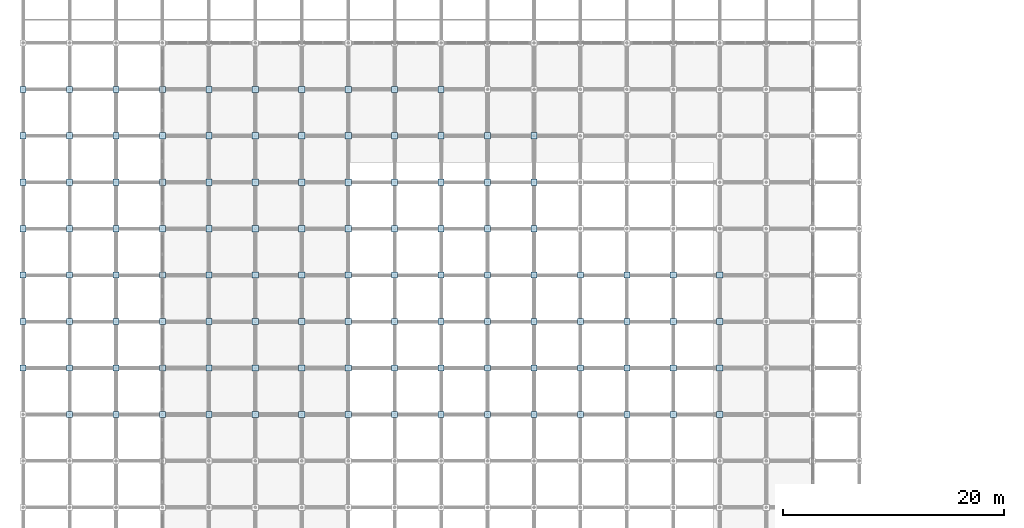
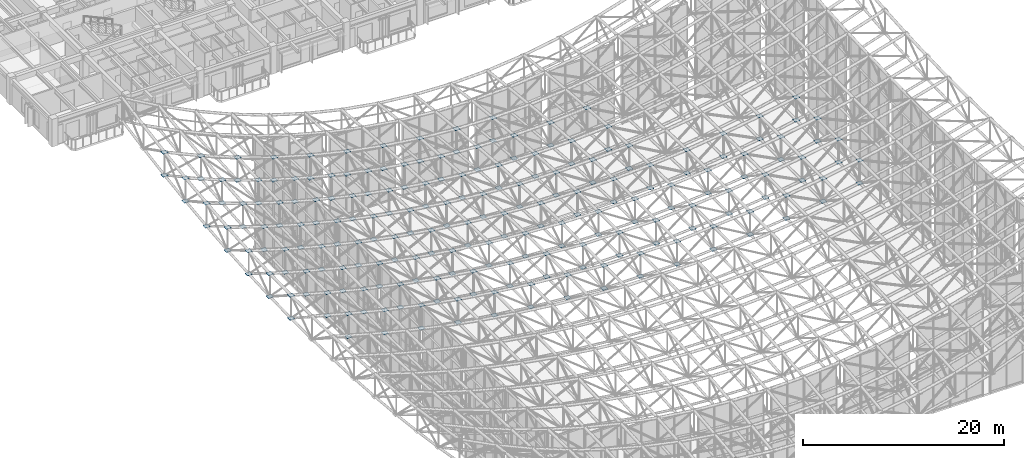
# One storey, part 68 of 93: 217 plates.
"""IFC4 building model written with IfcOpenShell, lengths in metres."""

from ifc_helpers import new_model, si_unit, direction, frame, origin, origin_2d, place, context, subcontext, project, spatial, rectangle, extrude, material, layer, layer_set, type_object, element, save


model = new_model("IFC4")

# Units and contexts
model_context = context("Model", 3, precision=1e-05, world=origin(), true_north=direction((0.0, 1.0)))
body_context = subcontext(model_context, "Body", "Model", "MODEL_VIEW")
ifc_project = project(units=[si_unit("LENGTHUNIT", "METRE"), si_unit("AREAUNIT", "SQUARE_METRE"), si_unit("VOLUMEUNIT", "CUBIC_METRE"), si_unit("PLANEANGLEUNIT", "RADIAN"), si_unit("MASSUNIT", "GRAM", prefix="KILO")], contexts=[model_context])

# Site, building, storey
site_placement = place(None, origin())
site = spatial("IfcSite", under=ifc_project, at=site_placement, CompositionType="ELEMENT")
building_placement = place(site_placement, origin())
building = spatial("IfcBuilding", under=site, at=building_placement, Name="Cumbredor Promenade Congress Hotel", CompositionType="ELEMENT")
storey_placement = place(building_placement, frame((0.0, 0.0, 21.840087890625)))
storey = spatial("IfcBuildingStorey", under=building, at=storey_placement, Name="L06", CompositionType="ELEMENT", Elevation=21.840087890625)

# Plates
ifc_material = material(Name="Steel ASTM A572 Grade 50", Category="steel")
ifc_layer = layer(ifc_material, 0.035888671875, Name="Steel ASTM A572 Grade 50", Category="steel")
ifc_layer_set = layer_set([ifc_layer], Name="Steel ASTM A572 Grade 50")
plate_type = type_object("IfcPlateType", Name="Space Frame Node Assembly ND-01", PredefinedType="USERDEFINED", material=ifc_layer_set)
for number, where, z_axis, x_axis, name in (
    (1, (-4.199951171875, 37.800048828125, 16.2255859375), (0.0, 0.0, 1.0), (1.0, 0.0, 0.0), "Plenary Congress Hall Space Frame Top Node 1.10"),
    (2, (-4.199951171875, 37.800048828125, 13.42529296875), (0.0, 0.0, 1.0), (1.0, 0.0, 0.0), "Plenary Congress Hall Space Frame Bottom Node 1.10"),
    (3, (-4.199951171875, 42.0, 16.3271484375), (0.0, 0.0, 1.0), (1.0, 0.0, 0.0), "Plenary Congress Hall Space Frame Top Node 1.11"),
    (4, (-4.199951171875, 42.0, 13.52685546875), (0.0, 0.0, 1.0), (1.0, 0.0, 0.0), "Plenary Congress Hall Space Frame Bottom Node 1.11"),
    (5, (-4.199951171875, 46.199951171875, 16.5302734375), (0.0, 0.0, 1.0), (1.0, 0.0, 0.0), "Plenary Congress Hall Space Frame Top Node 1.12"),
    (6, (-4.199951171875, 46.199951171875, 13.73046875), (0.0, 0.0, 1.0), (1.0, 0.0, 0.0), "Plenary Congress Hall Space Frame Bottom Node 1.12"),
    (7, (-4.199951171875, 50.39990234375, 16.8349609375), (0.0, 0.0, 1.0), (1.0, 0.0, 0.0), "Plenary Congress Hall Space Frame Top Node 1.13"),
    (8, (-4.199951171875, 50.39990234375, 14.03515625), (0.0, 0.0, 1.0), (1.0, 0.0, 0.0), "Plenary Congress Hall Space Frame Bottom Node 1.13"),
    (9, (-4.199951171875, 54.60009765625, 17.24169921875), (0.0, 0.0, 1.0), (1.0, 0.0, 0.0), "Plenary Congress Hall Space Frame Top Node 1.14"),
    (10, (-4.199951171875, 54.60009765625, 14.44140625), (0.0, 0.0, 1.0), (1.0, 0.0, 0.0), "Plenary Congress Hall Space Frame Bottom Node 1.14"),
    (11, (-4.199951171875, 58.800048828125, 17.7490234375), (0.0, 0.0, 1.0), (1.0, 0.0, 0.0), "Plenary Congress Hall Space Frame Top Node 1.15"),
    (12, (-4.199951171875, 58.800048828125, 14.94921875), (0.0, 0.0, 1.0), (1.0, 0.0, 0.0), "Plenary Congress Hall Space Frame Bottom Node 1.15"),
    (13, (-4.199951171875, 63.0, 18.35791015625), (0.0, 0.0, 1.0), (1.0, 0.0, 0.0), "Plenary Congress Hall Space Frame Top Node 1.16"),
    (14, (-4.199951171875, 63.0, 15.55810546875), (0.0, 0.0, 1.0), (1.0, 0.0, 0.0), "Plenary Congress Hall Space Frame Bottom Node 1.16"),
    (15, (0.0, 33.60009765625, 15.06640625), (0.0, 0.0, 1.0), (1.0, 0.0, 0.0), "Plenary Congress Hall Space Frame Top Node 2.9"),
    (16, (0.0, 33.60009765625, 12.26611328125), (0.0, 0.0, 1.0), (1.0, 0.0, 0.0), "Plenary Congress Hall Space Frame Bottom Node 2.9"),
    (17, (0.0, 37.800048828125, 15.06640625), (0.0, 0.0, 1.0), (1.0, 0.0, 0.0), "Plenary Congress Hall Space Frame Top Node 2.10"),
    (18, (0.0, 37.800048828125, 12.26611328125), (0.0, 0.0, 1.0), (1.0, 0.0, 0.0), "Plenary Congress Hall Space Frame Bottom Node 2.10"),
    (19, (0.0, 42.0, 15.1318359375), (0.0, 0.0, 1.0), (1.0, 0.0, 0.0), "Plenary Congress Hall Space Frame Top Node 2.11"),
    (20, (0.0, 42.0, 12.33154296875), (0.0, 0.0, 1.0), (1.0, 0.0, 0.0), "Plenary Congress Hall Space Frame Bottom Node 2.11"),
    (21, (0.0, 46.199951171875, 15.263671875), (0.0, 0.0, 1.0), (1.0, 0.0, 0.0), "Plenary Congress Hall Space Frame Top Node 2.12"),
    (22, (0.0, 46.199951171875, 12.4638671875), (0.0, 0.0, 1.0), (1.0, 0.0, 0.0), "Plenary Congress Hall Space Frame Bottom Node 2.12"),
    (23, (0.0, 50.39990234375, 15.46142578125), (0.0, 0.0, 1.0), (1.0, 0.0, 0.0), "Plenary Congress Hall Space Frame Top Node 2.13"),
    (24, (0.0, 50.39990234375, 12.66162109375), (0.0, 0.0, 1.0), (1.0, 0.0, 0.0), "Plenary Congress Hall Space Frame Bottom Node 2.13"),
    (25, (0.0, 54.60009765625, 15.7255859375), (0.0, 0.0, 1.0), (1.0, 0.0, 0.0), "Plenary Congress Hall Space Frame Top Node 2.14"),
    (26, (0.0, 54.60009765625, 12.92578125), (0.0, 0.0, 1.0), (1.0, 0.0, 0.0), "Plenary Congress Hall Space Frame Bottom Node 2.14"),
    (27, (0.0, 58.800048828125, 16.05517578125), (0.0, 0.0, 1.0), (1.0, 0.0, 0.0), "Plenary Congress Hall Space Frame Top Node 2.15"),
    (28, (0.0, 58.800048828125, 13.25537109375), (0.0, 0.0, 1.0), (1.0, 0.0, 0.0), "Plenary Congress Hall Space Frame Bottom Node 2.15"),
    (29, (0.0, 63.0, 16.45068359375), (0.0, 0.0, 1.0), (1.0, 0.0, 0.0), "Plenary Congress Hall Space Frame Top Node 2.16"),
    (30, (0.0, 63.0, 13.650390625), (0.0, 0.0, 1.0), (1.0, 0.0, 0.0), "Plenary Congress Hall Space Frame Bottom Node 2.16"),
    (31, (4.199951171875, 33.60009765625, 14.0458984375), (0.0, 0.0, 1.0), (1.0, 0.0, 0.0), "Plenary Congress Hall Space Frame Top Node 3.9"),
    (32, (4.199951171875, 33.60009765625, 11.24560546875), (0.0, 0.0, 1.0), (1.0, 0.0, 0.0), "Plenary Congress Hall Space Frame Bottom Node 3.9"),
    (33, (4.199951171875, 37.800048828125, 14.0458984375), (0.0, 0.0, 1.0), (1.0, 0.0, 0.0), "Plenary Congress Hall Space Frame Top Node 3.10"),
    (34, (4.199951171875, 37.800048828125, 11.24560546875), (0.0, 0.0, 1.0), (1.0, 0.0, 0.0), "Plenary Congress Hall Space Frame Bottom Node 3.10"),
    (35, (4.199951171875, 42.0, 14.08056640625), (0.0, 0.0, 1.0), (1.0, 0.0, 0.0), "Plenary Congress Hall Space Frame Top Node 3.11"),
    (36, (4.199951171875, 42.0, 11.28076171875), (0.0, 0.0, 1.0), (1.0, 0.0, 0.0), "Plenary Congress Hall Space Frame Bottom Node 3.11"),
    (37, (4.199951171875, 46.199951171875, 14.15087890625), (0.0, 0.0, 1.0), (1.0, 0.0, 0.0), "Plenary Congress Hall Space Frame Top Node 3.12"),
    (38, (4.199951171875, 46.199951171875, 11.3505859375), (0.0, 0.0, 1.0), (1.0, 0.0, 0.0), "Plenary Congress Hall Space Frame Bottom Node 3.12"),
    (39, (4.199951171875, 50.39990234375, 14.25537109375), (0.0, 0.0, 1.0), (1.0, 0.0, 0.0), "Plenary Congress Hall Space Frame Top Node 3.13"),
    (40, (4.199951171875, 50.39990234375, 11.45556640625), (0.0, 0.0, 1.0), (1.0, 0.0, 0.0), "Plenary Congress Hall Space Frame Bottom Node 3.13"),
    (41, (4.199951171875, 54.60009765625, 14.3955078125), (0.0, 0.0, 1.0), (1.0, 0.0, 0.0), "Plenary Congress Hall Space Frame Top Node 3.14"),
    (42, (4.199951171875, 54.60009765625, 11.59521484375), (0.0, 0.0, 1.0), (1.0, 0.0, 0.0), "Plenary Congress Hall Space Frame Bottom Node 3.14"),
    (43, (4.199951171875, 58.800048828125, 14.56982421875), (0.0, 0.0, 1.0), (1.0, 0.0, 0.0), "Plenary Congress Hall Space Frame Top Node 3.15"),
    (44, (4.199951171875, 58.800048828125, 11.76953125), (0.0, 0.0, 1.0), (1.0, 0.0, 0.0), "Plenary Congress Hall Space Frame Bottom Node 3.15"),
    (45, (4.199951171875, 63.0, 14.77880859375), (0.0, 0.0, 1.0), (1.0, 0.0, 0.0), "Plenary Congress Hall Space Frame Top Node 3.16"),
    (46, (4.199951171875, 63.0, 11.97900390625), (0.0, 0.0, 1.0), (1.0, 0.0, 0.0), "Plenary Congress Hall Space Frame Bottom Node 3.16"),
    (47, (8.39990234375, 33.60009765625, 13.16162109375), (0.0, 0.0, 1.0), (1.0, 0.0, 0.0), "Plenary Congress Hall Space Frame Top Node 4.9"),
    (48, (8.39990234375, 33.60009765625, 10.36181640625), (0.0, 0.0, 1.0), (1.0, 0.0, 0.0), "Plenary Congress Hall Space Frame Bottom Node 4.9"),
    (49, (8.39990234375, 37.800048828125, 13.16162109375), (0.0, 0.0, 1.0), (1.0, 0.0, 0.0), "Plenary Congress Hall Space Frame Top Node 4.10"),
    (50, (8.39990234375, 37.800048828125, 10.36181640625), (0.0, 0.0, 1.0), (1.0, 0.0, 0.0), "Plenary Congress Hall Space Frame Bottom Node 4.10"),
    (51, (8.39990234375, 42.0, 13.16943359375), (0.0, 0.0, 1.0), (1.0, 0.0, 0.0), "Plenary Congress Hall Space Frame Top Node 4.11"),
    (52, (8.39990234375, 42.0, 10.36962890625), (0.0, 0.0, 1.0), (1.0, 0.0, 0.0), "Plenary Congress Hall Space Frame Bottom Node 4.11"),
    (53, (8.39990234375, 46.199951171875, 13.185546875), (0.0, 0.0, 1.0), (1.0, 0.0, 0.0), "Plenary Congress Hall Space Frame Top Node 4.12"),
    (54, (8.39990234375, 46.199951171875, 10.3857421875), (0.0, 0.0, 1.0), (1.0, 0.0, 0.0), "Plenary Congress Hall Space Frame Bottom Node 4.12"),
    (55, (8.39990234375, 50.39990234375, 13.2099609375), (0.0, 0.0, 1.0), (1.0, 0.0, 0.0), "Plenary Congress Hall Space Frame Top Node 4.13"),
    (56, (8.39990234375, 50.39990234375, 10.41015625), (0.0, 0.0, 1.0), (1.0, 0.0, 0.0), "Plenary Congress Hall Space Frame Bottom Node 4.13"),
    (57, (8.39990234375, 54.60009765625, 13.2421875), (0.0, 0.0, 1.0), (1.0, 0.0, 0.0), "Plenary Congress Hall Space Frame Top Node 4.14"),
    (58, (8.39990234375, 54.60009765625, 10.44189453125), (0.0, 0.0, 1.0), (1.0, 0.0, 0.0), "Plenary Congress Hall Space Frame Bottom Node 4.14"),
    (59, (8.39990234375, 58.800048828125, 13.2822265625), (0.0, 0.0, 1.0), (1.0, 0.0, 0.0), "Plenary Congress Hall Space Frame Top Node 4.15"),
    (60, (8.39990234375, 58.800048828125, 10.48193359375), (0.0, 0.0, 1.0), (1.0, 0.0, 0.0), "Plenary Congress Hall Space Frame Bottom Node 4.15"),
    (61, (8.39990234375, 63.0, 13.330078125), (0.0, 0.0, 1.0), (1.0, 0.0, 0.0), "Plenary Congress Hall Space Frame Top Node 4.16"),
    (62, (8.39990234375, 63.0, 10.52978515625), (0.0, 0.0, 1.0), (1.0, 0.0, 0.0), "Plenary Congress Hall Space Frame Bottom Node 4.16"),
    (63, (12.60009765625, 33.60009765625, 12.41357421875), (0.0, 0.0, 1.0), (1.0, 0.0, 0.0), "Plenary Congress Hall Space Frame Top Node 5.9"),
    (64, (12.60009765625, 33.60009765625, 9.61328125), (0.0, 0.0, 1.0), (1.0, 0.0, 0.0), "Plenary Congress Hall Space Frame Bottom Node 5.9"),
    (65, (12.60009765625, 37.800048828125, 12.41357421875), (0.0, 0.0, 1.0), (1.0, 0.0, 0.0), "Plenary Congress Hall Space Frame Top Node 5.10"),
    (66, (12.60009765625, 37.800048828125, 9.61328125), (0.0, 0.0, 1.0), (1.0, 0.0, 0.0), "Plenary Congress Hall Space Frame Bottom Node 5.10"),
    (67, (12.60009765625, 42.0, 12.3984375), (0.0, 0.0, 1.0), (1.0, 0.0, 0.0), "Plenary Congress Hall Space Frame Top Node 5.11"),
    (68, (12.60009765625, 42.0, 9.5986328125), (0.0, 0.0, 1.0), (1.0, 0.0, 0.0), "Plenary Congress Hall Space Frame Bottom Node 5.11"),
    (69, (12.60009765625, 46.199951171875, 12.369140625), (0.0, 0.0, 1.0), (1.0, 0.0, 0.0), "Plenary Congress Hall Space Frame Top Node 5.12"),
    (70, (12.60009765625, 46.199951171875, 9.5693359375), (0.0, 0.0, 1.0), (1.0, 0.0, 0.0), "Plenary Congress Hall Space Frame Bottom Node 5.12"),
    (71, (12.60009765625, 50.39990234375, 12.3251953125), (0.0, 0.0, 1.0), (1.0, 0.0, 0.0), "Plenary Congress Hall Space Frame Top Node 5.13"),
    (72, (12.60009765625, 50.39990234375, 9.52490234375), (0.0, 0.0, 1.0), (1.0, 0.0, 0.0), "Plenary Congress Hall Space Frame Bottom Node 5.13"),
    (73, (12.60009765625, 54.60009765625, 12.26611328125), (0.0, 0.0, 1.0), (1.0, 0.0, 0.0), "Plenary Congress Hall Space Frame Top Node 5.14"),
    (74, (12.60009765625, 54.60009765625, 9.46630859375), (0.0, 0.0, 1.0), (1.0, 0.0, 0.0), "Plenary Congress Hall Space Frame Bottom Node 5.14"),
    (75, (12.60009765625, 58.800048828125, 12.1923828125), (0.0, 0.0, 1.0), (1.0, 0.0, 0.0), "Plenary Congress Hall Space Frame Top Node 5.15"),
    (76, (12.60009765625, 58.800048828125, 9.392578125), (0.0, 0.0, 1.0), (1.0, 0.0, 0.0), "Plenary Congress Hall Space Frame Bottom Node 5.15"),
    (77, (12.60009765625, 63.0, 12.103515625), (0.0, 0.0, 1.0), (1.0, 0.0, 0.0), "Plenary Congress Hall Space Frame Top Node 5.16"),
    (78, (12.60009765625, 63.0, 9.3037109375), (0.0, 0.0, 1.0), (1.0, 0.0, 0.0), "Plenary Congress Hall Space Frame Bottom Node 5.16"),
    (79, (16.800048828125, 33.60009765625, 11.8017578125), (0.0, 0.0, 1.0), (1.0, 0.0, 0.0), "Plenary Congress Hall Space Frame Top Node 6.9"),
    (80, (16.800048828125, 33.60009765625, 9.00146484375), (0.0, 0.0, 1.0), (1.0, 0.0, 0.0), "Plenary Congress Hall Space Frame Bottom Node 6.9"),
    (81, (16.800048828125, 37.800048828125, 11.8017578125), (0.0, 0.0, 1.0), (1.0, 0.0, 0.0), "Plenary Congress Hall Space Frame Top Node 6.10"),
    (82, (16.800048828125, 37.800048828125, 9.00146484375), (0.0, 0.0, 1.0), (1.0, 0.0, 0.0), "Plenary Congress Hall Space Frame Bottom Node 6.10"),
    (83, (16.800048828125, 42.0, 11.76806640625), (0.0, 0.0, 1.0), (1.0, 0.0, 0.0), "Plenary Congress Hall Space Frame Top Node 6.11"),
    (84, (16.800048828125, 42.0, 8.9677734375), (0.0, 0.0, 1.0), (1.0, 0.0, 0.0), "Plenary Congress Hall Space Frame Bottom Node 6.11"),
    (85, (16.800048828125, 46.199951171875, 11.701171875), (0.0, 0.0, 1.0), (1.0, 0.0, 0.0), "Plenary Congress Hall Space Frame Top Node 6.12"),
    (86, (16.800048828125, 46.199951171875, 8.9013671875), (0.0, 0.0, 1.0), (1.0, 0.0, 0.0), "Plenary Congress Hall Space Frame Bottom Node 6.12"),
    (87, (16.800048828125, 50.39990234375, 11.60107421875), (0.0, 0.0, 1.0), (1.0, 0.0, 0.0), "Plenary Congress Hall Space Frame Top Node 6.13"),
    (88, (16.800048828125, 50.39990234375, 8.80126953125), (0.0, 0.0, 1.0), (1.0, 0.0, 0.0), "Plenary Congress Hall Space Frame Bottom Node 6.13"),
    (89, (16.800048828125, 54.60009765625, 11.4677734375), (0.0, 0.0, 1.0), (1.0, 0.0, 0.0), "Plenary Congress Hall Space Frame Top Node 6.14"),
    (90, (16.800048828125, 54.60009765625, 8.66748046875), (0.0, 0.0, 1.0), (1.0, 0.0, 0.0), "Plenary Congress Hall Space Frame Bottom Node 6.14"),
    (91, (16.800048828125, 58.800048828125, 11.30078125), (0.0, 0.0, 1.0), (1.0, 0.0, 0.0), "Plenary Congress Hall Space Frame Top Node 6.15"),
    (92, (16.800048828125, 58.800048828125, 8.50048828125), (0.0, 0.0, 1.0), (1.0, 0.0, 0.0), "Plenary Congress Hall Space Frame Bottom Node 6.15"),
    (93, (16.800048828125, 63.0, 11.10009765625), (0.0, 0.0, 1.0), (1.0, 0.0, 0.0), "Plenary Congress Hall Space Frame Top Node 6.16"),
    (94, (16.800048828125, 63.0, 8.30029296875), (0.0, 0.0, 1.0), (1.0, 0.0, 0.0), "Plenary Congress Hall Space Frame Bottom Node 6.16"),
    (95, (21.0, 33.60009765625, 11.32568359375), (0.0, 0.0, 1.0), (1.0, 0.0, 0.0), "Plenary Congress Hall Space Frame Top Node 7.9"),
    (96, (21.0, 33.60009765625, 8.525390625), (0.0, 0.0, 1.0), (1.0, 0.0, 0.0), "Plenary Congress Hall Space Frame Bottom Node 7.9"),
    (97, (21.0, 37.800048828125, 11.32568359375), (0.0, 0.0, 1.0), (1.0, 0.0, 0.0), "Plenary Congress Hall Space Frame Top Node 7.10"),
    (98, (21.0, 37.800048828125, 8.525390625), (0.0, 0.0, 1.0), (1.0, 0.0, 0.0), "Plenary Congress Hall Space Frame Bottom Node 7.10"),
    (99, (21.0, 42.0, 11.27734375), (0.0, 0.0, 1.0), (1.0, 0.0, 0.0), "Plenary Congress Hall Space Frame Top Node 7.11"),
    (100, (21.0, 42.0, 8.4775390625), (0.0, 0.0, 1.0), (1.0, 0.0, 0.0), "Plenary Congress Hall Space Frame Bottom Node 7.11"),
    (101, (21.0, 46.199951171875, 11.181640625), (0.0, 0.0, 1.0), (1.0, 0.0, 0.0), "Plenary Congress Hall Space Frame Top Node 7.12"),
    (102, (21.0, 46.199951171875, 8.3818359375), (0.0, 0.0, 1.0), (1.0, 0.0, 0.0), "Plenary Congress Hall Space Frame Bottom Node 7.12"),
    (103, (21.0, 50.39990234375, 11.0380859375), (0.0, 0.0, 1.0), (1.0, 0.0, 0.0), "Plenary Congress Hall Space Frame Top Node 7.13"),
    (104, (21.0, 50.39990234375, 8.23828125), (0.0, 0.0, 1.0), (1.0, 0.0, 0.0), "Plenary Congress Hall Space Frame Bottom Node 7.13"),
    (105, (21.0, 54.60009765625, 10.8466796875), (0.0, 0.0, 1.0), (1.0, 0.0, 0.0), "Plenary Congress Hall Space Frame Top Node 7.14"),
    (106, (21.0, 54.60009765625, 8.046875), (0.0, 0.0, 1.0), (1.0, 0.0, 0.0), "Plenary Congress Hall Space Frame Bottom Node 7.14"),
    (107, (21.0, 58.800048828125, 10.60693359375), (0.0, 0.0, 1.0), (1.0, 0.0, 0.0), "Plenary Congress Hall Space Frame Top Node 7.15"),
    (108, (21.0, 58.800048828125, 7.80712890625), (0.0, 0.0, 1.0), (1.0, 0.0, 0.0), "Plenary Congress Hall Space Frame Bottom Node 7.15"),
    (109, (21.0, 63.0, 10.31982421875), (0.0, 0.0, 1.0), (1.0, 0.0, 0.0), "Plenary Congress Hall Space Frame Top Node 7.16"),
    (110, (21.0, 63.0, 7.51953125), (0.0, 0.0, 1.0), (1.0, 0.0, 0.0), "Plenary Congress Hall Space Frame Bottom Node 7.16"),
    (111, (25.199951171875, 33.60009765625, 10.9853515625), (0.0, 0.0, 1.0), (1.0, 0.0, 0.0), "Plenary Congress Hall Space Frame Top Node 8.9"),
    (112, (25.199951171875, 33.60009765625, 8.185546875), (0.0, 0.0, 1.0), (1.0, 0.0, 0.0), "Plenary Congress Hall Space Frame Bottom Node 8.9"),
    (113, (25.199951171875, 37.800048828125, 10.9853515625), (0.0, 0.0, 1.0), (1.0, 0.0, 0.0), "Plenary Congress Hall Space Frame Top Node 8.10"),
    (114, (25.199951171875, 37.800048828125, 8.185546875), (0.0, 0.0, 1.0), (1.0, 0.0, 0.0), "Plenary Congress Hall Space Frame Bottom Node 8.10"),
    (115, (25.199951171875, 42.0, 10.92724609375), (0.0, 0.0, 1.0), (1.0, 0.0, 0.0), "Plenary Congress Hall Space Frame Top Node 8.11"),
    (116, (25.199951171875, 42.0, 8.126953125), (0.0, 0.0, 1.0), (1.0, 0.0, 0.0), "Plenary Congress Hall Space Frame Bottom Node 8.11"),
    (117, (25.199951171875, 46.199951171875, 10.810546875), (0.0, 0.0, 1.0), (1.0, 0.0, 0.0), "Plenary Congress Hall Space Frame Top Node 8.12"),
    (118, (25.199951171875, 46.199951171875, 8.0107421875), (0.0, 0.0, 1.0), (1.0, 0.0, 0.0), "Plenary Congress Hall Space Frame Bottom Node 8.12"),
    (119, (25.199951171875, 50.39990234375, 10.63623046875), (0.0, 0.0, 1.0), (1.0, 0.0, 0.0), "Plenary Congress Hall Space Frame Top Node 8.13"),
    (120, (25.199951171875, 50.39990234375, 7.8359375), (0.0, 0.0, 1.0), (1.0, 0.0, 0.0), "Plenary Congress Hall Space Frame Bottom Node 8.13"),
    (121, (25.199951171875, 54.60009765625, 10.4033203125), (0.0, 0.0, 1.0), (1.0, 0.0, 0.0), "Plenary Congress Hall Space Frame Top Node 8.14"),
    (122, (25.199951171875, 54.60009765625, 7.60302734375), (0.0, 0.0, 1.0), (1.0, 0.0, 0.0), "Plenary Congress Hall Space Frame Bottom Node 8.14"),
    (123, (25.199951171875, 58.800048828125, 10.11181640625), (0.0, 0.0, 1.0), (1.0, 0.0, 0.0), "Plenary Congress Hall Space Frame Top Node 8.15"),
    (124, (25.199951171875, 58.800048828125, 7.31201171875), (0.0, 0.0, 1.0), (1.0, 0.0, 0.0), "Plenary Congress Hall Space Frame Bottom Node 8.15"),
    (125, (25.199951171875, 63.0, 9.76220703125), (0.0, 0.0, 1.0), (1.0, 0.0, 0.0), "Plenary Congress Hall Space Frame Top Node 8.16"),
    (126, (25.199951171875, 63.0, 6.96240234375), (0.0, 0.0, 1.0), (1.0, 0.0, 0.0), "Plenary Congress Hall Space Frame Bottom Node 8.16"),
    (127, (29.39990234375, 33.60009765625, 10.646484375), (0.0, 0.0, 1.0), (1.0, 0.0, 0.0), "Plenary Congress Hall Space Frame Top Node 9.9"),
    (128, (29.39990234375, 33.60009765625, 7.8466796875), (0.0, 0.0, 1.0), (1.0, 0.0, 0.0), "Plenary Congress Hall Space Frame Bottom Node 9.9"),
    (129, (29.39990234375, 37.800048828125, 10.646484375), (0.0, 0.0, 1.0), (1.0, 0.0, 0.0), "Plenary Congress Hall Space Frame Top Node 9.10"),
    (130, (29.39990234375, 37.800048828125, 7.8466796875), (0.0, 0.0, 1.0), (1.0, 0.0, 0.0), "Plenary Congress Hall Space Frame Bottom Node 9.10"),
    (131, (29.39990234375, 42.0, 10.716796875), (0.0, 0.0, 1.0), (1.0, 0.0, 0.0), "Plenary Congress Hall Space Frame Top Node 9.11"),
    (132, (29.39990234375, 42.0, 7.9169921875), (0.0, 0.0, 1.0), (1.0, 0.0, 0.0), "Plenary Congress Hall Space Frame Bottom Node 9.11"),
    (133, (29.39990234375, 46.199951171875, 10.58837890625), (0.0, 0.0, 1.0), (1.0, 0.0, 0.0), "Plenary Congress Hall Space Frame Top Node 9.12"),
    (134, (29.39990234375, 46.199951171875, 7.7880859375), (0.0, 0.0, 1.0), (1.0, 0.0, 0.0), "Plenary Congress Hall Space Frame Bottom Node 9.12"),
    (135, (29.39990234375, 50.39990234375, 10.39453125), (0.0, 0.0, 1.0), (1.0, 0.0, 0.0), "Plenary Congress Hall Space Frame Top Node 9.13"),
    (136, (29.39990234375, 50.39990234375, 7.5947265625), (0.0, 0.0, 1.0), (1.0, 0.0, 0.0), "Plenary Congress Hall Space Frame Bottom Node 9.13"),
    (137, (29.39990234375, 54.60009765625, 10.13720703125), (0.0, 0.0, 1.0), (1.0, 0.0, 0.0), "Plenary Congress Hall Space Frame Top Node 9.14"),
    (138, (29.39990234375, 54.60009765625, 7.3369140625), (0.0, 0.0, 1.0), (1.0, 0.0, 0.0), "Plenary Congress Hall Space Frame Bottom Node 9.14"),
    (139, (29.39990234375, 58.800048828125, 9.81494140625), (0.0, 0.0, 1.0), (1.0, 0.0, 0.0), "Plenary Congress Hall Space Frame Top Node 9.15"),
    (140, (29.39990234375, 58.800048828125, 7.0146484375), (0.0, 0.0, 1.0), (1.0, 0.0, 0.0), "Plenary Congress Hall Space Frame Bottom Node 9.15"),
    (141, (29.39990234375, 63.0, 9.42822265625), (0.0, 0.0, 1.0), (1.0, 0.0, 0.0), "Plenary Congress Hall Space Frame Top Node 9.16"),
    (142, (29.39990234375, 63.0, 6.6279296875), (0.0, 0.0, 1.0), (1.0, 0.0, 0.0), "Plenary Congress Hall Space Frame Bottom Node 9.16"),
    (143, (33.60009765625, 33.60009765625, 10.6474609375), (0.0, 0.0, 1.0), (1.0, 0.0, 0.0), "Plenary Congress Hall Space Frame Top Node 10.9"),
    (144, (33.60009765625, 33.60009765625, 7.84716796875), (0.0, 0.0, 1.0), (1.0, 0.0, 0.0), "Plenary Congress Hall Space Frame Bottom Node 10.9"),
    (145, (33.60009765625, 37.800048828125, 10.6474609375), (0.0, 0.0, 1.0), (1.0, 0.0, 0.0), "Plenary Congress Hall Space Frame Top Node 10.10"),
    (146, (33.60009765625, 37.800048828125, 7.84716796875), (0.0, 0.0, 1.0), (1.0, 0.0, 0.0), "Plenary Congress Hall Space Frame Bottom Node 10.10"),
    (147, (33.60009765625, 42.0, 10.64697265625), (0.0, 0.0, 1.0), (1.0, 0.0, 0.0), "Plenary Congress Hall Space Frame Top Node 10.11"),
    (148, (33.60009765625, 42.0, 7.84716796875), (0.0, 0.0, 1.0), (1.0, 0.0, 0.0), "Plenary Congress Hall Space Frame Bottom Node 10.11"),
    (149, (33.60009765625, 46.199951171875, 10.51416015625), (0.0, 0.0, 1.0), (1.0, 0.0, 0.0), "Plenary Congress Hall Space Frame Top Node 10.12"),
    (150, (33.60009765625, 46.199951171875, 7.7138671875), (0.0, 0.0, 1.0), (1.0, 0.0, 0.0), "Plenary Congress Hall Space Frame Bottom Node 10.12"),
    (151, (33.60009765625, 50.39990234375, 10.314453125), (0.0, 0.0, 1.0), (1.0, 0.0, 0.0), "Plenary Congress Hall Space Frame Top Node 10.13"),
    (152, (33.60009765625, 50.39990234375, 7.5146484375), (0.0, 0.0, 1.0), (1.0, 0.0, 0.0), "Plenary Congress Hall Space Frame Bottom Node 10.13"),
    (153, (33.60009765625, 54.60009765625, 10.04833984375), (0.0, 0.0, 1.0), (1.0, 0.0, 0.0), "Plenary Congress Hall Space Frame Top Node 10.14"),
    (154, (33.60009765625, 54.60009765625, 7.24853515625), (0.0, 0.0, 1.0), (1.0, 0.0, 0.0), "Plenary Congress Hall Space Frame Bottom Node 10.14"),
    (155, (33.60009765625, 58.800048828125, 9.7158203125), (0.0, 0.0, 1.0), (1.0, 0.0, 0.0), "Plenary Congress Hall Space Frame Top Node 10.15"),
    (156, (33.60009765625, 58.800048828125, 6.916015625), (0.0, 0.0, 1.0), (1.0, 0.0, 0.0), "Plenary Congress Hall Space Frame Bottom Node 10.15"),
    (157, (33.60009765625, 63.0, 9.31689453125), (0.0, 0.0, 1.0), (1.0, 0.0, 0.0), "Plenary Congress Hall Space Frame Top Node 10.16"),
    (158, (33.60009765625, 63.0, 6.51708984375), (0.0, 0.0, 1.0), (1.0, 0.0, 0.0), "Plenary Congress Hall Space Frame Bottom Node 10.16"),
    (159, (37.800048828125, 33.60009765625, 10.646484375), (0.0, 0.0, 1.0), (1.0, 0.0, 0.0), "Plenary Congress Hall Space Frame Top Node 11.9"),
    (160, (37.800048828125, 33.60009765625, 7.8466796875), (0.0, 0.0, 1.0), (1.0, 0.0, 0.0), "Plenary Congress Hall Space Frame Bottom Node 11.9"),
    (161, (37.800048828125, 37.800048828125, 10.646484375), (0.0, 0.0, 1.0), (1.0, 0.0, 0.0), "Plenary Congress Hall Space Frame Top Node 11.10"),
    (162, (37.800048828125, 37.800048828125, 7.8466796875), (0.0, 0.0, 1.0), (1.0, 0.0, 0.0), "Plenary Congress Hall Space Frame Bottom Node 11.10"),
    (163, (37.800048828125, 42.0, 10.716796875), (0.0, 0.0, 1.0), (1.0, 0.0, 0.0), "Plenary Congress Hall Space Frame Top Node 11.11"),
    (164, (37.800048828125, 42.0, 7.9169921875), (0.0, 0.0, 1.0), (1.0, 0.0, 0.0), "Plenary Congress Hall Space Frame Bottom Node 11.11"),
    (165, (37.800048828125, 46.199951171875, 10.58837890625), (0.0, 0.0, 1.0), (1.0, 0.0, 0.0), "Plenary Congress Hall Space Frame Top Node 11.12"),
    (166, (37.800048828125, 46.199951171875, 7.7880859375), (0.0, 0.0, 1.0), (1.0, 0.0, 0.0), "Plenary Congress Hall Space Frame Bottom Node 11.12"),
    (167, (37.800048828125, 50.39990234375, 10.39453125), (0.0, 0.0, 1.0), (1.0, 0.0, 0.0), "Plenary Congress Hall Space Frame Top Node 11.13"),
    (168, (37.800048828125, 50.39990234375, 7.5947265625), (0.0, 0.0, 1.0), (1.0, 0.0, 0.0), "Plenary Congress Hall Space Frame Bottom Node 11.13"),
    (169, (37.800048828125, 54.60009765625, 10.13720703125), (0.0, 0.0, 1.0), (1.0, 0.0, 0.0), "Plenary Congress Hall Space Frame Top Node 11.14"),
    (170, (37.800048828125, 54.60009765625, 7.3369140625), (0.0, 0.0, 1.0), (1.0, 0.0, 0.0), "Plenary Congress Hall Space Frame Bottom Node 11.14"),
    (171, (37.800048828125, 58.800048828125, 9.81494140625), (0.0, 0.0, 1.0), (1.0, 0.0, 0.0), "Plenary Congress Hall Space Frame Top Node 11.15"),
    (172, (37.800048828125, 58.800048828125, 7.0146484375), (0.0, 0.0, 1.0), (1.0, 0.0, 0.0), "Plenary Congress Hall Space Frame Bottom Node 11.15"),
    (173, (42.0, 33.60009765625, 10.9853515625), (0.0, 0.0, 1.0), (1.0, 0.0, 0.0), "Plenary Congress Hall Space Frame Top Node 12.9"),
    (174, (42.0, 33.60009765625, 8.185546875), (0.0, 0.0, 1.0), (1.0, 0.0, 0.0), "Plenary Congress Hall Space Frame Bottom Node 12.9"),
    (175, (42.0, 37.800048828125, 10.9853515625), (0.0, 0.0, 1.0), (1.0, 0.0, 0.0), "Plenary Congress Hall Space Frame Top Node 12.10"),
    (176, (42.0, 37.800048828125, 8.185546875), (0.0, 0.0, 1.0), (1.0, 0.0, 0.0), "Plenary Congress Hall Space Frame Bottom Node 12.10"),
    (177, (42.0, 42.0, 10.92724609375), (0.0, 0.0, 1.0), (1.0, 0.0, 0.0), "Plenary Congress Hall Space Frame Top Node 12.11"),
    (178, (42.0, 42.0, 8.126953125), (0.0, 0.0, 1.0), (1.0, 0.0, 0.0), "Plenary Congress Hall Space Frame Bottom Node 12.11"),
    (179, (42.0, 46.199951171875, 10.810546875), (0.0, 0.0, 1.0), (1.0, 0.0, 0.0), "Plenary Congress Hall Space Frame Top Node 12.12"),
    (180, (42.0, 46.199951171875, 8.0107421875), (0.0, 0.0, 1.0), (1.0, 0.0, 0.0), "Plenary Congress Hall Space Frame Bottom Node 12.12"),
    (181, (42.0, 50.39990234375, 10.63623046875), (0.0, 0.0, 1.0), (1.0, 0.0, 0.0), "Plenary Congress Hall Space Frame Top Node 12.13"),
    (182, (42.0, 50.39990234375, 7.8359375), (0.0, 0.0, 1.0), (1.0, 0.0, 0.0), "Plenary Congress Hall Space Frame Bottom Node 12.13"),
    (183, (42.0, 54.60009765625, 10.4033203125), (0.0, 0.0, 1.0), (1.0, 0.0, 0.0), "Plenary Congress Hall Space Frame Top Node 12.14"),
    (184, (42.0, 54.60009765625, 7.60302734375), (0.0, 0.0, 1.0), (1.0, 0.0, 0.0), "Plenary Congress Hall Space Frame Bottom Node 12.14"),
    (185, (42.0, 58.800048828125, 10.11181640625), (0.0, 0.0, 1.0), (1.0, 0.0, 0.0), "Plenary Congress Hall Space Frame Top Node 12.15"),
    (186, (46.199951171875, 33.60009765625, 11.32568359375), (0.0, 0.0, 1.0), (1.0, 0.0, 0.0), "Plenary Congress Hall Space Frame Top Node 13.9"),
    (187, (46.199951171875, 33.60009765625, 8.525390625), (0.0, 0.0, 1.0), (1.0, 0.0, 0.0), "Plenary Congress Hall Space Frame Bottom Node 13.9"),
    (188, (46.199951171875, 37.800048828125, 11.32568359375), (0.0, 0.0, 1.0), (1.0, 0.0, 0.0), "Plenary Congress Hall Space Frame Top Node 13.10"),
    (189, (46.199951171875, 37.800048828125, 8.525390625), (0.0, 0.0, 1.0), (1.0, 0.0, 0.0), "Plenary Congress Hall Space Frame Bottom Node 13.10"),
    (190, (46.199951171875, 42.0, 11.27734375), (0.0, 0.0, 1.0), (1.0, 0.0, 0.0), "Plenary Congress Hall Space Frame Top Node 13.11"),
    (191, (46.199951171875, 42.0, 8.4775390625), (0.0, 0.0, 1.0), (1.0, 0.0, 0.0), "Plenary Congress Hall Space Frame Bottom Node 13.11"),
    (192, (46.199951171875, 46.199951171875, 11.181640625), (0.0, 0.0, 1.0), (1.0, 0.0, 0.0), "Plenary Congress Hall Space Frame Top Node 13.12"),
    (193, (46.199951171875, 46.199951171875, 8.3818359375), (0.0, 0.0, 1.0), (1.0, 0.0, 0.0), "Plenary Congress Hall Space Frame Bottom Node 13.12"),
    (194, (50.39990234375, 33.60009765625, 11.8017578125), (0.0, 0.0, 1.0), (1.0, 0.0, 0.0), "Plenary Congress Hall Space Frame Top Node 14.9"),
    (195, (50.39990234375, 33.60009765625, 9.00146484375), (0.0, 0.0, 1.0), (1.0, 0.0, 0.0), "Plenary Congress Hall Space Frame Bottom Node 14.9"),
    (196, (50.39990234375, 37.800048828125, 11.8017578125), (0.0, 0.0, 1.0), (1.0, 0.0, 0.0), "Plenary Congress Hall Space Frame Top Node 14.10"),
    (197, (50.39990234375, 37.800048828125, 9.00146484375), (0.0, 0.0, 1.0), (1.0, 0.0, 0.0), "Plenary Congress Hall Space Frame Bottom Node 14.10"),
    (198, (50.39990234375, 42.0, 11.76806640625), (0.0, 0.0, 1.0), (1.0, 0.0, 0.0), "Plenary Congress Hall Space Frame Top Node 14.11"),
    (199, (50.39990234375, 42.0, 8.9677734375), (0.0, 0.0, 1.0), (1.0, 0.0, 0.0), "Plenary Congress Hall Space Frame Bottom Node 14.11"),
    (200, (50.39990234375, 46.199951171875, 11.701171875), (0.0, 0.0, 1.0), (1.0, 0.0, 0.0), "Plenary Congress Hall Space Frame Top Node 14.12"),
    (201, (50.39990234375, 46.199951171875, 8.9013671875), (0.0, 0.0, 1.0), (1.0, 0.0, 0.0), "Plenary Congress Hall Space Frame Bottom Node 14.12"),
    (202, (54.60009765625, 33.60009765625, 12.41357421875), (0.0, 0.0, 1.0), (1.0, 0.0, 0.0), "Plenary Congress Hall Space Frame Top Node 15.9"),
    (203, (54.60009765625, 33.60009765625, 9.61328125), (0.0, 0.0, 1.0), (1.0, 0.0, 0.0), "Plenary Congress Hall Space Frame Bottom Node 15.9"),
    (204, (54.60009765625, 37.800048828125, 12.41357421875), (0.0, 0.0, 1.0), (1.0, 0.0, 0.0), "Plenary Congress Hall Space Frame Top Node 15.10"),
    (205, (54.60009765625, 37.800048828125, 9.61328125), (0.0, 0.0, 1.0), (1.0, 0.0, 0.0), "Plenary Congress Hall Space Frame Bottom Node 15.10"),
    (206, (54.60009765625, 42.0, 12.3984375), (0.0, 0.0, 1.0), (1.0, 0.0, 0.0), "Plenary Congress Hall Space Frame Top Node 15.11"),
    (207, (54.60009765625, 42.0, 9.5986328125), (0.0, 0.0, 1.0), (1.0, 0.0, 0.0), "Plenary Congress Hall Space Frame Bottom Node 15.11"),
    (208, (54.60009765625, 46.199951171875, 12.369140625), (0.0, 0.0, 1.0), (1.0, 0.0, 0.0), "Plenary Congress Hall Space Frame Top Node 15.12"),
    (209, (54.60009765625, 46.199951171875, 9.5693359375), (0.0, 0.0, 1.0), (1.0, 0.0, 0.0), "Plenary Congress Hall Space Frame Bottom Node 15.12"),
    (210, (58.800048828125, 33.60009765625, 13.16162109375), (0.0, 0.0, 1.0), (1.0, 0.0, 0.0), "Plenary Congress Hall Space Frame Top Node 16.9"),
    (211, (58.800048828125, 33.60009765625, 10.36181640625), (0.0, 0.0, 1.0), (1.0, 0.0, 0.0), "Plenary Congress Hall Space Frame Bottom Node 16.9"),
    (212, (58.800048828125, 37.800048828125, 13.16162109375), (0.0, 0.0, 1.0), (1.0, 0.0, 0.0), "Plenary Congress Hall Space Frame Top Node 16.10"),
    (213, (58.800048828125, 37.800048828125, 10.36181640625), (0.0, 0.0, 1.0), (1.0, 0.0, 0.0), "Plenary Congress Hall Space Frame Bottom Node 16.10"),
    (214, (58.800048828125, 42.0, 13.16943359375), (0.0, 0.0, 1.0), (1.0, 0.0, 0.0), "Plenary Congress Hall Space Frame Top Node 16.11"),
    (215, (58.800048828125, 42.0, 10.36962890625), (0.0, 0.0, 1.0), (1.0, 0.0, 0.0), "Plenary Congress Hall Space Frame Bottom Node 16.11"),
    (216, (58.800048828125, 46.199951171875, 13.185546875), (0.0, 0.0, 1.0), (1.0, 0.0, 0.0), "Plenary Congress Hall Space Frame Top Node 16.12"),
    (217, (58.800048828125, 46.199951171875, 10.3857421875), (0.0, 0.0, 1.0), (1.0, 0.0, 0.0), "Plenary Congress Hall Space Frame Bottom Node 16.12"),
):
    element("IfcPlate", number, at=place(storey_placement, frame(where, z_axis=z_axis, x_axis=x_axis)), inside=storey, type_object=plate_type, Name=name, ObjectType="GUSSET PLATE", PredefinedType="USERDEFINED", context=body_context, shape_type="SweptSolid", body=[
        extrude(rectangle(XDim=0.56005859375, YDim=0.56005859375, at=origin_2d()), origin(), (0.0, 0.0, 1.0), 0.035888671875),
    ])

save(model, "model.ifc")
